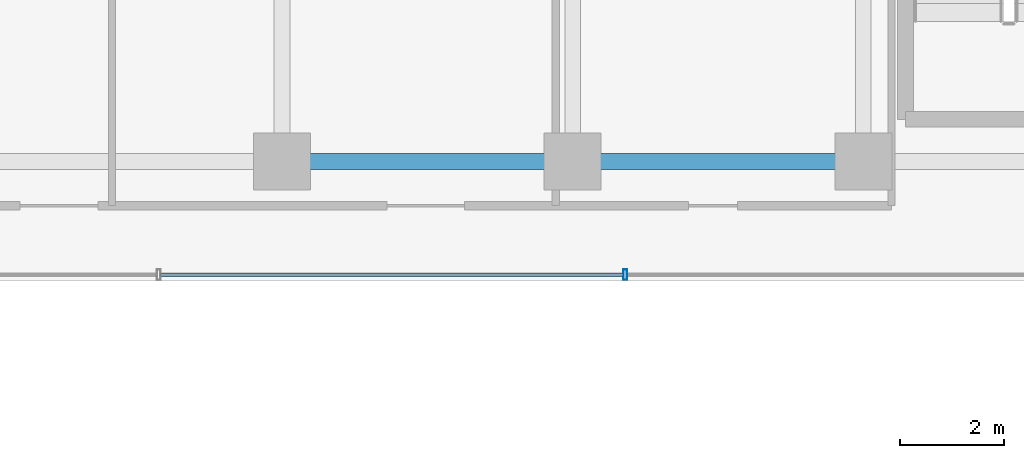
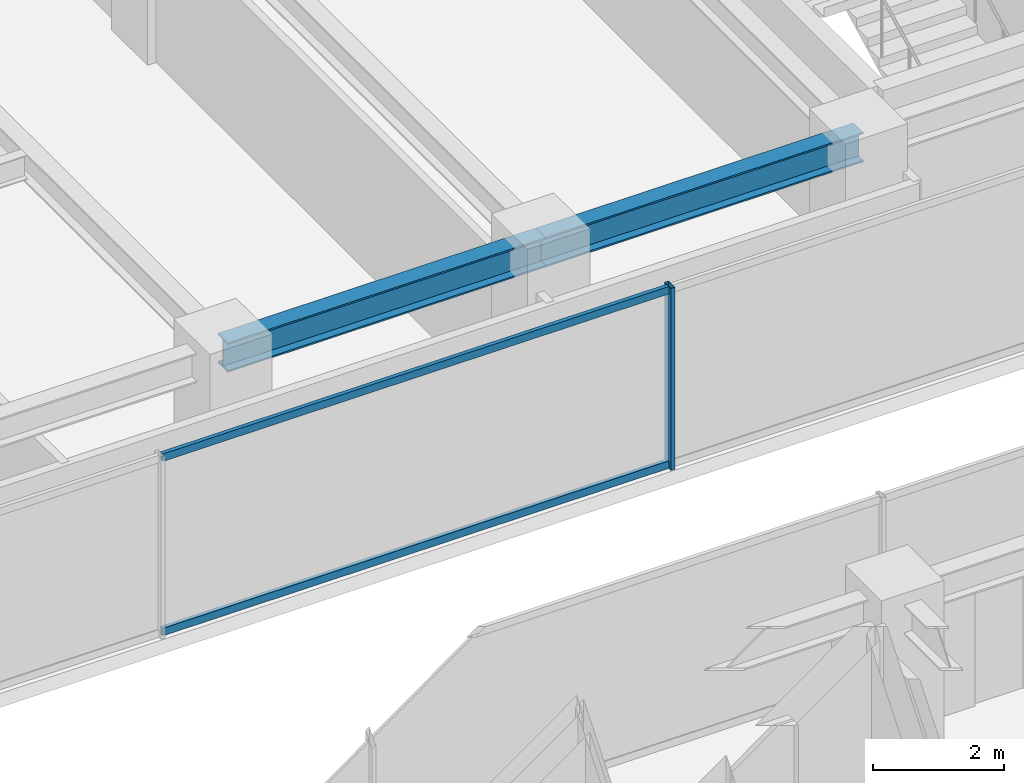
# One storey, part 10 of 38: 3 members, 2 beams, 1 element without a shape of its own.
"""IFC4 building model written with IfcOpenShell, lengths in metres."""

from ifc_helpers import new_model, si_unit, direction, frame, origin, origin_2d, place, context, subcontext, project, spatial, hollow_rectangle, i_section, extrude, source, transform, mapped, material, material_profile, profile_set, type_object, element, aggregate, save


model = new_model("IFC4")

# Units and contexts
model_context = context("Model", 3, precision=1e-05, world=origin(), true_north=direction((0.0, 1.0)))
body_context = subcontext(model_context, "Body", "Model", "MODEL_VIEW")
ifc_project = project(units=[si_unit("LENGTHUNIT", "METRE"), si_unit("AREAUNIT", "SQUARE_METRE"), si_unit("VOLUMEUNIT", "CUBIC_METRE"), si_unit("PLANEANGLEUNIT", "RADIAN"), si_unit("MASSUNIT", "GRAM", prefix="KILO")], contexts=[model_context])

# Site, building, storey
site_placement = place(None, origin())
site = spatial("IfcSite", under=ifc_project, at=site_placement, CompositionType="ELEMENT")
building_placement = place(site_placement, origin())
building = spatial("IfcBuilding", under=site, at=building_placement, Name="Nahalor Promenade Grand Hotel", CompositionType="ELEMENT")
storey_placement = place(building_placement, frame((0.0, 0.0, 178.199951171875)))
storey = spatial("IfcBuildingStorey", under=building, at=storey_placement, Name="L45", CompositionType="ELEMENT", Elevation=178.199951171875)

# Beams
ifc_material_1 = material(Name="Steel S355JR", Category="steel")
ifc_material_profile_1 = material_profile(ifc_material_1, i_section(OverallWidth=0.3, OverallDepth=0.55, WebThickness=0.015, FlangeThickness=0.029, at=origin_2d()), Name="HEB 550")
ifc_profile_set_1 = profile_set([ifc_material_profile_1], Name="Steel S355JR")
beam_type = type_object("IfcBeamType", Name="Beam-Girder-HEB550", PredefinedType="BEAM", material=ifc_profile_set_1)
shared_shape_1 = source(origin(), body_context, "Body", "SweptSolid", [
    extrude(i_section(OverallWidth=0.3, OverallDepth=0.55, WebThickness=0.015, FlangeThickness=0.029, at=origin_2d()), origin(), (0.0, 0.0, 1.0), 5.599853515625),
])
beam_1_placement = place(storey_placement, frame((-8.39990234375, 5.39990234375, 3.114990234375), z_axis=(1.0, 0.0, 0.0), x_axis=(0.0, 1.0, 0.0)))
element("IfcBeam", 1, at=beam_1_placement, inside=storey, type_object=beam_type, Name="BM-L45-GX-2-2", PredefinedType="BEAM", context=body_context, shape_type="MappedRepresentation", body=[
    mapped(shared_shape_1, transform((0.0, 0.0, 0.0), scale=1.0)),
])
shared_shape_2 = source(origin(), body_context, "Body", "SweptSolid", [
    extrude(i_section(OverallWidth=0.3, OverallDepth=0.55, WebThickness=0.015, FlangeThickness=0.029, at=origin_2d()), origin(), (0.0, 0.0, 1.0), 5.60009765625),
])
beam_2_placement = place(storey_placement, frame((-2.800048828125, 5.39990234375, 3.114990234375), z_axis=(1.0, 0.0, 0.0), x_axis=(0.0, 1.0, 0.0)))
element("IfcBeam", 2, at=beam_2_placement, inside=storey, type_object=beam_type, Name="BM-L45-GX-2-3", PredefinedType="BEAM", context=body_context, shape_type="MappedRepresentation", body=[
    mapped(shared_shape_2, transform((0.0, 0.0, 0.0), scale=1.0)),
])

# Curtain wall, members
ifc_material_2 = material(Name="Anodised Bronze Aluminium EN AW-6063 T6", Category="aluminium")
curtain_wall_type = type_object("IfcCurtainWallType", Name="CW3 Elliptical-Void Collar Unitised Curtain Wall", PredefinedType="USERDEFINED", material=ifc_material_2)
curtain_wall_placement = place(storey_placement, origin())
curtain_wall = element("IfcCurtainWall", 3, at=curtain_wall_placement, inside=storey, type_object=curtain_wall_type, Name="L45 Curtain Wall CW-L45-VOID-WN1", ObjectType="UNITISED_CURTAIN_WALL", PredefinedType="USERDEFINED")
ifc_material_profile_2 = material_profile(ifc_material_2, hollow_rectangle(XDim=0.07, YDim=0.2, WallThickness=0.005, at=origin_2d()), Name="CWM 70x200x5")
ifc_profile_set_2 = profile_set([ifc_material_profile_2], Name="Anodised Bronze Aluminium EN AW-6063 T6")
member_type_1 = type_object("IfcMemberType", Name="CWM3 Void Collar Mullion 70x200", PredefinedType="MULLION", material=ifc_profile_set_2)
shared_shape_3 = source(origin(), body_context, "Body", "SweptSolid", [
    extrude(hollow_rectangle(XDim=0.07, YDim=0.2, WallThickness=0.005, at=origin_2d()), origin(), (0.0, 0.0, 1.0), 3.39013671875),
])
member_1_placement = place(storey_placement, frame((-1.78662109375, 3.219970703125, 0.0), z_axis=(0.0, 0.0, 1.0), x_axis=(1.0, 0.0, 0.0)))
member_1 = element("IfcMember", 4, at=member_1_placement, type_object=member_type_1, Name="CW-L45-VOID-WN1 Mullion 2", PredefinedType="MULLION", context=body_context, shape_type="MappedRepresentation", body=[
    mapped(shared_shape_3, transform((0.0, 0.0, 0.0), scale=1.0)),
])
ifc_material_profile_3 = material_profile(ifc_material_2, hollow_rectangle(XDim=0.07, YDim=0.14, WallThickness=0.004, at=origin_2d()), Name="CWT 70x140x4")
ifc_profile_set_3 = profile_set([ifc_material_profile_3], Name="Anodised Bronze Aluminium EN AW-6063 T6")
member_type_2 = type_object("IfcMemberType", Name="CWT3 Void Collar Transom 70x140", PredefinedType="USERDEFINED", material=ifc_profile_set_3)
shared_shape_4 = source(origin(), body_context, "Body", "SweptSolid", [
    extrude(hollow_rectangle(XDim=0.07, YDim=0.14, WallThickness=0.004, at=origin_2d()), origin(), (0.0, 0.0, 1.0), 8.91650390625),
])
member_2_placement = place(storey_placement, frame((-10.73828125, 3.219970703125, 0.070068359375), z_axis=(1.0, 0.0, 0.0), x_axis=(0.0, 1.0, 0.0)))
member_2 = element("IfcMember", 5, at=member_2_placement, type_object=member_type_2, Name="CW-L45-VOID-WN1 Transom 1-0", ObjectType="TRANSOM", PredefinedType="USERDEFINED", context=body_context, shape_type="MappedRepresentation", body=[
    mapped(shared_shape_4, transform((0.0, 0.0, 0.0), scale=1.0)),
])
member_3_placement = place(storey_placement, frame((-10.73828125, 3.219970703125, 3.320068359375), z_axis=(1.0, 0.0, 0.0), x_axis=(0.0, 1.0, 0.0)))
member_3 = element("IfcMember", 6, at=member_3_placement, type_object=member_type_2, Name="CW-L45-VOID-WN1 Transom 1-1", ObjectType="TRANSOM", PredefinedType="USERDEFINED", context=body_context, shape_type="MappedRepresentation", body=[
    mapped(shared_shape_4, transform((0.0, 0.0, 0.0), scale=1.0)),
])
aggregate(curtain_wall, [member_1, member_2, member_3])

save(model, "model.ifc")
